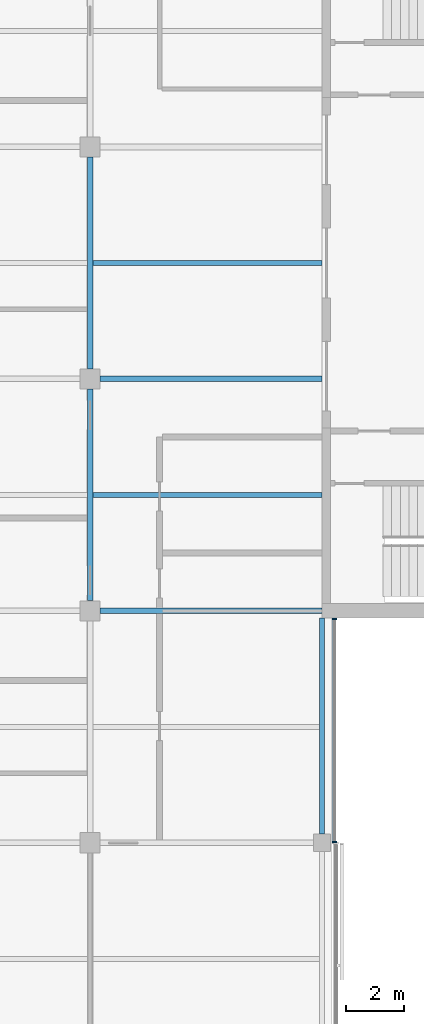
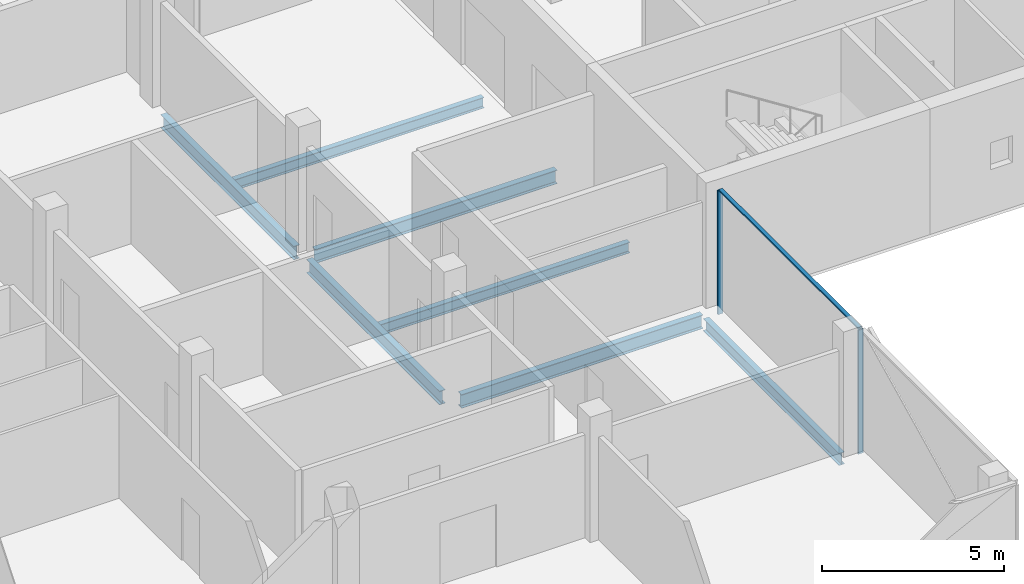
# One storey, part 4 of 16: 7 beams, 3 members, 1 element without a shape of its own.
"""IFC4 building model written with IfcOpenShell, lengths in metres."""

from ifc_helpers import new_model, si_unit, direction, frame, origin, origin_2d, place, context, subcontext, project, spatial, rectangle, i_section, extrude, material, material_profile, profile_set, type_object, element, aggregate, save


model = new_model("IFC4")

# Units and contexts
model_context = context("Model", 3, precision=1e-05, world=origin(), true_north=direction((0.0, 1.0)))
body_context = subcontext(model_context, "Body", "Model", "MODEL_VIEW")
ifc_project = project(units=[si_unit("LENGTHUNIT", "METRE"), si_unit("AREAUNIT", "SQUARE_METRE"), si_unit("VOLUMEUNIT", "CUBIC_METRE"), si_unit("PLANEANGLEUNIT", "RADIAN"), si_unit("MASSUNIT", "GRAM", prefix="KILO")], contexts=[model_context])

# Site, building, storey
site_placement = place(None, origin())
site = spatial("IfcSite", under=ifc_project, at=site_placement, CompositionType="ELEMENT")
building_placement = place(site_placement, origin())
building = spatial("IfcBuilding", under=site, at=building_placement, Name="Crosswind Convention Tower", CompositionType="ELEMENT")
storey_placement = place(building_placement, frame((0.0, 0.0, 287.10009765625)))
storey = spatial("IfcBuildingStorey", under=building, at=storey_placement, Name="L62", CompositionType="ELEMENT", Elevation=287.10009765625)

# Beams
ifc_material_1 = material(Name="Steel S355", Category="steel")
ifc_material_profile_1 = material_profile(ifc_material_1, i_section(OverallWidth=0.177734375, OverallDepth=0.406494140625, WebThickness=0.0078125, FlangeThickness=0.0126953125, FilletRadius=0.01025390625, at=origin_2d()), Name="UB 406x178x60")
ifc_profile_set_1 = profile_set([ifc_material_profile_1], Name="Steel S355")
beam_type_1 = type_object("IfcBeamType", Name="Edge beam UB 406x178x60", PredefinedType="SPANDREL", material=ifc_profile_set_1)
beam_placement = place(storey_placement, frame((137.0, 80.300048828125, -0.50341796875), z_axis=(0.0, 1.0, 0.0), x_axis=(-1.0, 0.0, 0.0)))
element("IfcBeam", 1, at=beam_placement, inside=storey, type_object=beam_type_1, Name="B15 L62 edge beam 12", PredefinedType="SPANDREL", context=body_context, shape_type="SweptSolid", body=[
    extrude(i_section(OverallWidth=0.177734375, OverallDepth=0.406494140625, WebThickness=0.0078125, FlangeThickness=0.0126953125, FilletRadius=0.01025390625, at=origin_2d()), origin(), (0.0, 0.0, 1.0), 7.449951171875),
])
ifc_material_profile_2 = material_profile(ifc_material_1, i_section(OverallWidth=0.18994140625, OverallDepth=0.45361328125, WebThickness=0.008544921875, FlangeThickness=0.0126953125, FilletRadius=0.01025390625, at=origin_2d()), Name="UB 457x191x67")
ifc_profile_set_2 = profile_set([ifc_material_profile_2], Name="Steel S355")
beam_type_2 = type_object("IfcBeamType", Name="Girder UB 457x191x67", PredefinedType="BEAM", material=ifc_profile_set_2)
for number, where, z_axis, x_axis, name in (
    (2, (129.0, 88.35009765625, -0.52685546875), (0.0, 1.0, 0.0), (-1.0, 0.0, 0.0), "B1 L62 girder 18"),
    (3, (129.0, 96.35009765625, -0.52685546875), (0.0, 1.0, 0.0), (-1.0, 0.0, 0.0), "B1 L62 girder 19"),
):
    element("IfcBeam", number, at=place(storey_placement, frame(where, z_axis=z_axis, x_axis=x_axis)), inside=storey, type_object=beam_type_2, Name=name, PredefinedType="BEAM", context=body_context, shape_type="SweptSolid", body=[
        extrude(i_section(OverallWidth=0.18994140625, OverallDepth=0.45361328125, WebThickness=0.008544921875, FlangeThickness=0.0126953125, FilletRadius=0.01025390625, at=origin_2d()), origin(), (0.0, 0.0, 1.0), 7.2998046875),
    ])
ifc_material_profile_3 = material_profile(ifc_material_1, i_section(OverallWidth=0.1904296875, OverallDepth=0.457275390625, WebThickness=0.009033203125, FlangeThickness=0.014404296875, FilletRadius=0.01025390625, at=origin_2d()), Name="UB 457x191x75")
ifc_profile_set_3 = profile_set([ifc_material_profile_3], Name="Steel S355")
beam_type_3 = type_object("IfcBeamType", Name="Girder at core wall UB 457x191x75", PredefinedType="BEAM", material=ifc_profile_set_3)
for number, where, z_axis, x_axis, name in (
    (4, (129.35009765625, 88.0, -0.52880859375), (1.0, 0.0, 0.0), (0.0, 1.0, 0.0), "B22 L62 girder at core wall 5"),
    (5, (129.35009765625, 96.0, -0.52880859375), (1.0, 0.0, 0.0), (0.0, 1.0, 0.0), "B22 L62 girder at core wall 6"),
):
    element("IfcBeam", number, at=place(storey_placement, frame(where, z_axis=z_axis, x_axis=x_axis)), inside=storey, type_object=beam_type_3, Name=name, PredefinedType="BEAM", context=body_context, shape_type="SweptSolid", body=[
        extrude(i_section(OverallWidth=0.1904296875, OverallDepth=0.457275390625, WebThickness=0.009033203125, FlangeThickness=0.014404296875, FilletRadius=0.01025390625, at=origin_2d()), origin(), (0.0, 0.0, 1.0), 7.64990234375),
    ])

# Curtain wall, members
ifc_material_2 = material(Name="Aluminium unitised curtain wall", Category="aluminium")
curtain_wall_type = type_object("IfcCurtainWallType", Name="CORE END SLOT WALL 160", PredefinedType="USERDEFINED", material=ifc_material_2)
curtain_wall_placement = place(storey_placement, origin())
curtain_wall = element("IfcCurtainWall", 6, at=curtain_wall_placement, inside=storey, type_object=curtain_wall_type, Name="CW6 L62 S-E.1-2 slot", ObjectType="UNITISED", PredefinedType="USERDEFINED")
ifc_material_3 = material(Name="Aluminium mullion", Category="aluminium")
ifc_material_profile_4 = material_profile(ifc_material_3, rectangle(XDim=0.159912109375, YDim=0.050048828125, at=origin_2d()), Name="AL 160X50")
ifc_profile_set_4 = profile_set([ifc_material_profile_4], Name="Aluminium mullion")
member_type_1 = type_object("IfcMemberType", Name="MULLION 50X160", PredefinedType="MULLION", material=ifc_profile_set_4)
member_1_placement = place(storey_placement, frame((137.429931640625, 80.02490234375, -0.300048828125), z_axis=(0.0, 0.0, 1.0), x_axis=(1.0, 0.0, 0.0)))
member_1 = element("IfcMember", 7, at=member_1_placement, type_object=member_type_1, Name="CW6 mullion 1", PredefinedType="MULLION", context=body_context, shape_type="SweptSolid", body=[
    extrude(rectangle(XDim=0.159912109375, YDim=0.050048828125, at=origin_2d()), origin(), (0.0, 0.0, 1.0), 4.14990234375),
])
member_2_placement = place(storey_placement, frame((137.429931640625, 87.72509765625, -0.300048828125), z_axis=(0.0, 0.0, 1.0), x_axis=(1.0, 0.0, 0.0)))
member_2 = element("IfcMember", 8, at=member_2_placement, type_object=member_type_1, Name="CW6 mullion 2", PredefinedType="MULLION", context=body_context, shape_type="SweptSolid", body=[
    extrude(rectangle(XDim=0.159912109375, YDim=0.050048828125, at=origin_2d()), origin(), (0.0, 0.0, 1.0), 4.14990234375),
])

# Beams
ifc_material_profile_5 = material_profile(ifc_material_1, i_section(OverallWidth=0.17138671875, OverallDepth=0.355712890625, WebThickness=0.00732421875, FlangeThickness=0.011474609375, FilletRadius=0.01025390625, at=origin_2d()), Name="UB 356x171x51")
ifc_profile_set_5 = profile_set([ifc_material_profile_5], Name="Steel S355")
beam_type_4 = type_object("IfcBeamType", Name="Secondary beam UB 356x171x51", PredefinedType="JOIST", material=ifc_profile_set_5)
for number, where, z_axis, x_axis, name in (
    (9, (129.094970703125, 92.0, -0.477783203125), (1.0, 0.0, 0.0), (0.0, 1.0, 0.0), "B8 L62 secondary beam 17"),
    (10, (129.094970703125, 100.0, -0.477783203125), (1.0, 0.0, 0.0), (0.0, 1.0, 0.0), "B8 L62 secondary beam 18"),
):
    element("IfcBeam", number, at=place(storey_placement, frame(where, z_axis=z_axis, x_axis=x_axis)), inside=storey, type_object=beam_type_4, Name=name, PredefinedType="JOIST", context=body_context, shape_type="SweptSolid", body=[
        extrude(i_section(OverallWidth=0.17138671875, OverallDepth=0.355712890625, WebThickness=0.00732421875, FlangeThickness=0.011474609375, FilletRadius=0.01025390625, at=origin_2d()), origin(), (0.0, 0.0, 1.0), 7.905029296875),
    ])

# Member
ifc_material_4 = material(Name="Aluminium transom", Category="aluminium")
ifc_material_profile_6 = material_profile(ifc_material_4, rectangle(XDim=0.1201171875, YDim=0.050048828125, at=origin_2d()), Name="AL 120X50")
ifc_profile_set_6 = profile_set([ifc_material_profile_6], Name="Aluminium transom")
member_type_2 = type_object("IfcMemberType", Name="TRANSOM 50X120", PredefinedType="USERDEFINED", material=ifc_profile_set_6)
member_3_placement = place(storey_placement, frame((137.429931640625, 80.050048828125, 3.875), z_axis=(0.0, 1.0, 0.0), x_axis=(-1.0, 0.0, 0.0)))
member_3 = element("IfcMember", 11, at=member_3_placement, type_object=member_type_2, Name="CW6 transom", ObjectType="TRANSOM", PredefinedType="USERDEFINED", context=body_context, shape_type="SweptSolid", body=[
    extrude(rectangle(XDim=0.1201171875, YDim=0.050048828125, at=origin_2d()), origin(), (0.0, 0.0, 1.0), 7.64990234375),
])

aggregate(curtain_wall, [member_1, member_2, member_3])

save(model, "model.ifc")
